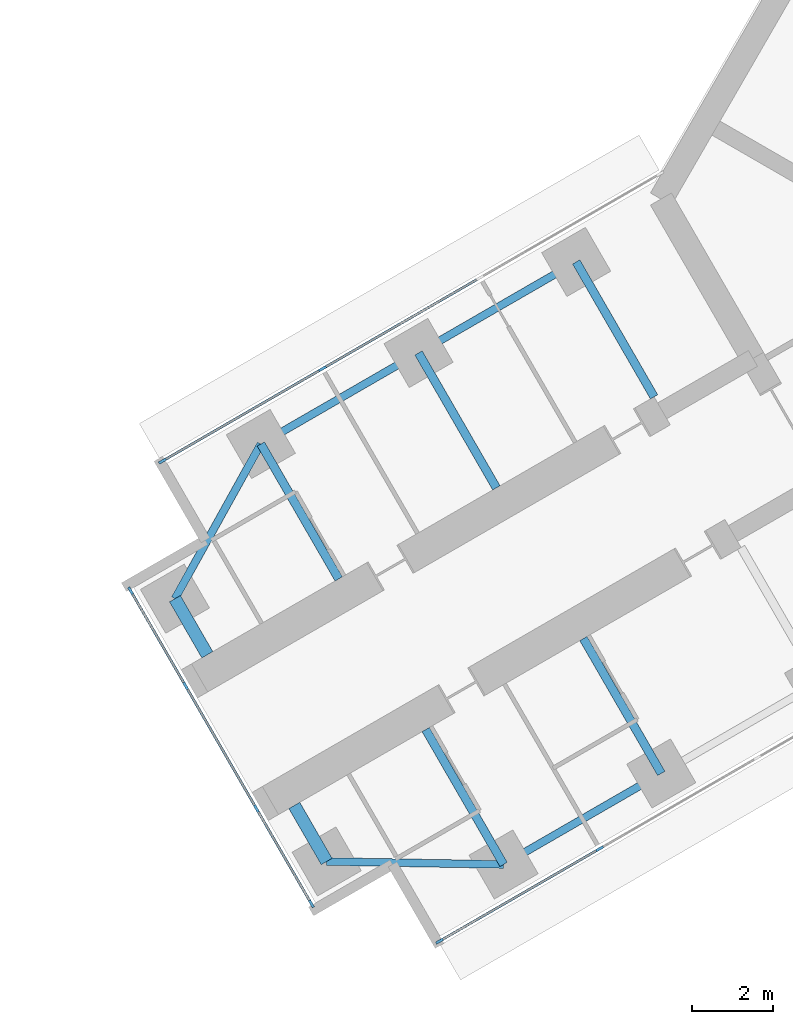
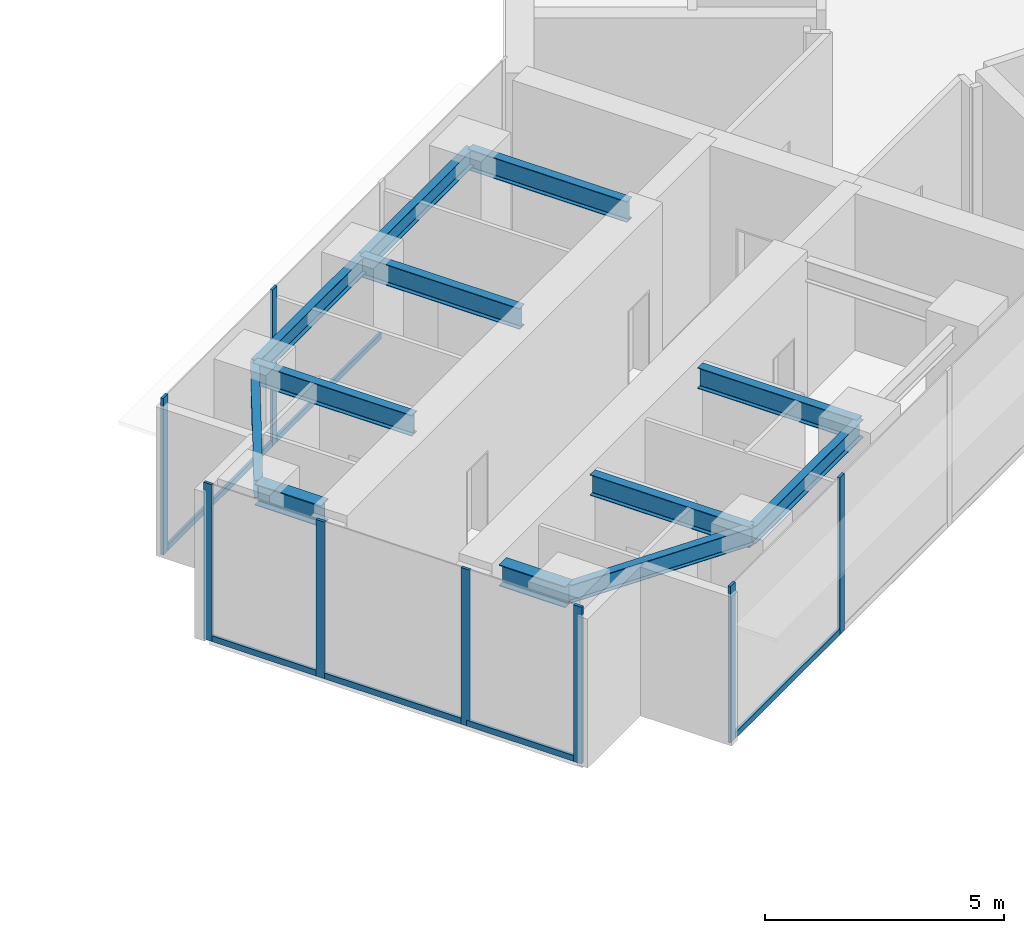
# One storey, part 3 of 23: 14 members, 12 beams, 3 elements without a shape of their own.
"""IFC4 building model written with IfcOpenShell, lengths in metres."""

import ifcopenshell
import ifcopenshell.guid

model = None  # the IFC model being written
_history = None  # IfcOwnerHistory: only IFC2X3 demands one
_inside = {}  # id of a spatial element -> (the spatial element, [elements in it])
_under = {}  # id of a project, library or spatial element -> (it, [spatial elements below it])
_declared = {}  # id of a project -> (the project, [libraries it declares])
_typed = {}  # id of a type object -> (the type object, [elements of that type])
_made_of = {}  # id of a material, layer set ... -> (it, [elements and type objects made of it])


def new_model(schema):
    """Start an empty IFC model of exactly this schema.

    Asked for "IFC4X3", IfcOpenShell would pick the latest addendum, in which some entities
    have other attributes; the version numbers below select the first issue.
    IFC2X3 requires an IfcOwnerHistory on every rooted entity: one is made here for all.
    """
    global model, _history
    if schema == "IFC4X3":
        model = ifcopenshell.file(schema_version=(4, 3, 0, 0))
    else:
        model = ifcopenshell.file(schema=schema)
    _inside.clear()
    _under.clear()
    _declared.clear()
    _typed.clear()
    _made_of.clear()
    _history = None
    if model.schema == "IFC2X3":
        org = make("IfcOrganization", Name="unknown")
        user = make(
            "IfcPersonAndOrganization",
            ThePerson=make("IfcPerson", FamilyName="unknown"),
            TheOrganization=org,
        )
        app = make(
            "IfcApplication",
            ApplicationDeveloper=org,
            Version="unknown",
            ApplicationFullName="unknown",
            ApplicationIdentifier="unknown",
        )
        _history = make(
            "IfcOwnerHistory",
            OwningUser=user,
            OwningApplication=app,
            ChangeAction="ADDED",
            CreationDate=0,
        )
    return model


def make(cls, **values):
    """One entity of the class cls with the attributes given. An attribute that is None is left unset."""
    return model.create_entity(
        cls, **{name: value for name, value in values.items() if value is not None}
    )


def rooted(cls, **values):
    """An entity with a GlobalId (a new one), such as an element, a storey or a relation."""
    return make(cls, GlobalId=ifcopenshell.guid.new(), OwnerHistory=_history, **values)


def si_unit(unit_type, name, prefix=None):
    """IfcSIUnit, for example si_unit("LENGTHUNIT", "METRE", prefix="MILLI")."""
    return make("IfcSIUnit", UnitType=unit_type, Prefix=prefix, Name=name)


def assignment(units):
    """IfcUnitAssignment: the units of a project."""
    return None if units is None else make("IfcUnitAssignment", Units=units)


def point(xyz):
    """IfcCartesianPoint."""
    return None if xyz is None else make("IfcCartesianPoint", Coordinates=xyz)


def direction(xyz):
    """IfcDirection."""
    return None if xyz is None else make("IfcDirection", DirectionRatios=xyz)


def frame(location, z_axis=None, x_axis=None):
    """IfcAxis2Placement3D, a coordinate frame: its origin and axes. An axis left out is left unset."""
    return make(
        "IfcAxis2Placement3D",
        Location=point(location),
        Axis=direction(z_axis),
        RefDirection=direction(x_axis),
    )


def frame_2d(location, x_axis=None):
    """IfcAxis2Placement2D, a coordinate frame in the plane: its origin and x axis."""
    return make(
        "IfcAxis2Placement2D", Location=point(location), RefDirection=direction(x_axis)
    )


def origin():
    """The frame at (0, 0, 0) with its axes left unset."""
    return frame((0.0, 0.0, 0.0))


def origin_2d():
    """The frame at (0, 0) in the plane with its x axis left unset."""
    return frame_2d((0.0, 0.0))


def place(relative_to, where):
    """IfcLocalPlacement: puts the frame where relative to a parent placement (None: the world)."""
    return make(
        "IfcLocalPlacement", PlacementRelTo=relative_to, RelativePlacement=where
    )


def context(
    kind, dimensions, precision=None, world=None, true_north=None, identifier=None
):
    """IfcGeometricRepresentationContext, for example the 3D "Model" context."""
    return make(
        "IfcGeometricRepresentationContext",
        ContextIdentifier=identifier,
        ContextType=kind,
        CoordinateSpaceDimension=dimensions,
        Precision=precision,
        WorldCoordinateSystem=world,
        TrueNorth=true_north,
    )


def subcontext(parent, identifier, kind, view, scale=None):
    """IfcGeometricRepresentationSubContext, for example "Body" below "Model"."""
    return make(
        "IfcGeometricRepresentationSubContext",
        ContextIdentifier=identifier,
        ContextType=kind,
        ParentContext=parent,
        TargetScale=scale,
        TargetView=view,
    )


def project(units=None, contexts=None):
    """IfcProject with its units and contexts."""
    return rooted(
        "IfcProject",
        Name="project",
        RepresentationContexts=contexts,
        UnitsInContext=assignment(units),
    )


def spatial(cls, under=None, at=None, **own):
    """A site, building, storey or space (cls), placed at a placement, below another one or the project."""
    s = rooted(cls, ObjectPlacement=at, **own)
    if under is not None:
        _under.setdefault(under.id(), (under, []))[1].append(s)
    return s


def profile(cls, at=None, kind="AREA", **sizes):
    """A parametric profile (cls). Its sizes go by their IFC names, for example OverallWidth=200.0."""
    return make(cls, ProfileType=kind, Position=at, **sizes)


def rectangle(**sizes):
    """IfcRectangleProfileDef."""
    return profile("IfcRectangleProfileDef", **sizes)


def i_section(**sizes):
    """IfcIShapeProfileDef."""
    return profile("IfcIShapeProfileDef", **sizes)


def extrude(swept, where, along, depth):
    """IfcExtrudedAreaSolid: the profile swept, set in the frame where, extruded along a direction by depth."""
    return make(
        "IfcExtrudedAreaSolid",
        SweptArea=swept,
        Position=where,
        ExtrudedDirection=direction(along),
        Depth=depth,
    )


def shape(context_of_items, identifier, shape_type, items):
    """IfcShapeRepresentation: the items that make up one representation, for example the "Body"."""
    return make(
        "IfcShapeRepresentation",
        ContextOfItems=context_of_items,
        RepresentationIdentifier=identifier,
        RepresentationType=shape_type,
        Items=items,
    )


def material(Name=None, Category=None):
    """IfcMaterial."""
    return make("IfcMaterial", Name=Name, Category=Category)


def material_profile(
    of_material, cross_section, Name=None, Category=None, Priority=None
):
    """IfcMaterialProfile: a cross section and its material."""
    return make(
        "IfcMaterialProfile",
        Name=Name,
        Material=of_material,
        Profile=cross_section,
        Priority=Priority,
        Category=Category,
    )


def profile_set(profiles, Name=None, composite=None):
    """IfcMaterialProfileSet."""
    return make(
        "IfcMaterialProfileSet",
        Name=Name,
        MaterialProfiles=profiles,
        CompositeProfile=composite,
    )


def made_of(thing, what):
    """Note that an element or type object is made of a material, layer set ...; save() writes the relation."""
    if what is not None:
        _made_of.setdefault(what.id(), (what, []))[1].append(thing)
    return thing


def type_object(cls, material=None, **own):
    """A type object (cls), such as IfcWallType, which elements share."""
    return made_of(rooted(cls, **own), material)


def element(
    cls,
    number,
    at=None,
    inside=None,
    cuts=None,
    type_object=None,
    material=None,
    context=None,
    identifier="Body",
    shape_type=None,
    held_by="IfcProductDefinitionShape",
    body=None,
    shapes=None,
    **own,
):
    """One element of the class cls, such as IfcWall. Its Tag is "e" and its number.

    at: its placement. inside: the storey or other place that contains it. cuts: it is an
    opening in that element (IfcRelVoidsElement). A single representation is given by context,
    identifier, shape_type and body (its items); several are given by shapes. held_by: the class
    of the entity that holds the representations. save() writes the other relations.
    """
    e = rooted(cls, Tag="e%d" % number, ObjectPlacement=at, **own)
    if body is not None:
        shapes = [shape(context, identifier, shape_type, body)]
    if shapes is not None:
        e.Representation = make(held_by, Representations=shapes)
    if inside is not None:
        _inside.setdefault(inside.id(), (inside, []))[1].append(e)
    if cuts is not None:
        rooted(
            "IfcRelVoidsElement", RelatingBuildingElement=cuts, RelatedOpeningElement=e
        )
    if type_object is not None:
        _typed.setdefault(type_object.id(), (type_object, []))[1].append(e)
    return made_of(e, material)


def aggregate(whole, parts):
    """IfcRelAggregates: a whole, such as a stair, and the parts it consists of."""
    return rooted("IfcRelAggregates", RelatingObject=whole, RelatedObjects=parts)


def save(model, path):
    """Write the relations noted so far, then the file.

    IfcRelAggregates (storeys below a building ...), IfcRelContainedInSpatialStructure (elements
    in a storey), IfcRelDefinesByType, IfcRelAssociatesMaterial and IfcRelDeclares: one each for
    every whole, place, type object, material and project.
    """
    for whole, parts in _under.values():
        aggregate(whole, parts)
    for where, things in _inside.values():
        rooted(
            "IfcRelContainedInSpatialStructure",
            RelatedElements=things,
            RelatingStructure=where,
        )
    for kind, things in _typed.values():
        rooted("IfcRelDefinesByType", RelatedObjects=things, RelatingType=kind)
    for what, things in _made_of.values():
        rooted("IfcRelAssociatesMaterial", RelatedObjects=things, RelatingMaterial=what)
    for by, libraries in _declared.values():
        rooted("IfcRelDeclares", RelatingContext=by, RelatedDefinitions=libraries)
    model.write(path)


model = new_model("IFC4")

# Units and contexts
model_context = context("Model", 3, precision=1e-05, world=origin(), true_north=direction((0.0, 1.0)))
body_context = subcontext(model_context, "Body", "Model", "MODEL_VIEW")
ifc_project = project(units=[si_unit("LENGTHUNIT", "METRE"), si_unit("AREAUNIT", "SQUARE_METRE"), si_unit("VOLUMEUNIT", "CUBIC_METRE"), si_unit("PLANEANGLEUNIT", "RADIAN"), si_unit("MASSUNIT", "GRAM", prefix="KILO")], contexts=[model_context])

# Site, building, storey
site_placement = place(None, origin())
site = spatial("IfcSite", under=ifc_project, at=site_placement, CompositionType="ELEMENT")
building_placement = place(site_placement, origin())
building = spatial("IfcBuilding", under=site, at=building_placement, Name="Upepo Twin Towers", CompositionType="ELEMENT")
storey_placement = place(building_placement, frame((0.0, 0.0, 145.5)))
storey = spatial("IfcBuildingStorey", under=building, at=storey_placement, Name="L35", CompositionType="ELEMENT", Elevation=145.5)

# Beams
ifc_material_1 = material(Name="Steel S355", Category="steel")
ifc_material_profile_1 = material_profile(ifc_material_1, i_section(OverallWidth=0.1904296875, OverallDepth=0.45703125, WebThickness=0.009033203125, FlangeThickness=0.014404296875, FilletRadius=0.01025390625, at=origin_2d()), Name="UB 457x191x74")
ifc_profile_set_1 = profile_set([ifc_material_profile_1], Name="Steel S355")
beam_type_1 = type_object("IfcBeamType", Name="Beam UB 457x191x74", PredefinedType="BEAM", material=ifc_profile_set_1)
beam_1_placement = place(storey_placement, frame((45.91162109375, -32.196044921875, 3.571533203125), z_axis=(-0.866031096941, -0.499990139034, 0.0), x_axis=(0.499990139034, -0.866031096941, 0.0)))
element("IfcBeam", 1, at=beam_1_placement, inside=storey, type_object=beam_type_1, Name="T2 edge beam BL 18.0-22.5", PredefinedType="BEAM", context=body_context, shape_type="SweptSolid", body=[
    extrude(i_section(OverallWidth=0.1904296875, OverallDepth=0.45703125, WebThickness=0.009033203125, FlangeThickness=0.014404296875, FilletRadius=0.01025390625, at=origin_2d()), origin(), (0.0, 0.0, 1.0), 4.5),
])
beam_2_placement = place(storey_placement, frame((42.014404296875, -34.446044921875, 3.571533203125), z_axis=(-0.999858804832, 0.016803880528, 0.0), x_axis=(-0.016803880528, -0.999858804832, 0.0)))
element("IfcBeam", 2, at=beam_2_placement, inside=storey, type_object=beam_type_1, Name="T2 nose edge beam BL", PredefinedType="BEAM", context=body_context, shape_type="SweptSolid", body=[
    extrude(i_section(OverallWidth=0.1904296875, OverallDepth=0.45703125, WebThickness=0.009033203125, FlangeThickness=0.014404296875, FilletRadius=0.01025390625, at=origin_2d()), origin(), (0.0, 0.0, 1.0), 4.373291015625),
])
beam_3_placement = place(storey_placement, frame((43.80859375, -19.553955078125, 3.571533203125), z_axis=(-0.866017533419, -0.500013631625, 0.0), x_axis=(0.500013631625, -0.866017533419, 0.0)))
element("IfcBeam", 3, at=beam_3_placement, inside=storey, type_object=beam_type_1, Name="T2 edge beam BR 13.5-18.0", PredefinedType="BEAM", context=body_context, shape_type="SweptSolid", body=[
    extrude(i_section(OverallWidth=0.1904296875, OverallDepth=0.45703125, WebThickness=0.009033203125, FlangeThickness=0.014404296875, FilletRadius=0.01025390625, at=origin_2d()), origin(), (0.0, 0.0, 1.0), 4.499755859375),
])
beam_4_placement = place(storey_placement, frame((39.91162109375, -21.803955078125, 3.571533203125), z_axis=(-0.866031096941, -0.499990139034, 0.0), x_axis=(0.499990139034, -0.866031096941, 0.0)))
element("IfcBeam", 4, at=beam_4_placement, inside=storey, type_object=beam_type_1, Name="T2 edge beam BR 18.0-22.5", PredefinedType="BEAM", context=body_context, shape_type="SweptSolid", body=[
    extrude(i_section(OverallWidth=0.1904296875, OverallDepth=0.45703125, WebThickness=0.009033203125, FlangeThickness=0.014404296875, FilletRadius=0.01025390625, at=origin_2d()), origin(), (0.0, 0.0, 1.0), 4.5),
])
beam_5_placement = place(storey_placement, frame((36.014404296875, -24.053955078125, 3.571533203125), z_axis=(-0.485363242752, -0.874312600038, 0.0), x_axis=(0.874312600038, -0.485363242752, 0.0)))
element("IfcBeam", 5, at=beam_5_placement, inside=storey, type_object=beam_type_1, Name="T2 nose edge beam BR", PredefinedType="BEAM", context=body_context, shape_type="SweptSolid", body=[
    extrude(i_section(OverallWidth=0.1904296875, OverallDepth=0.45703125, WebThickness=0.009033203125, FlangeThickness=0.014404296875, FilletRadius=0.01025390625, at=origin_2d()), origin(), (0.0, 0.0, 1.0), 4.373046875),
])
ifc_material_2 = material(Name="Steel S355", Category="steel")
ifc_material_profile_2 = material_profile(ifc_material_2, i_section(OverallWidth=0.209228515625, OverallDepth=0.533203125, WebThickness=0.010009765625, FlangeThickness=0.015625, FilletRadius=0.0126953125, at=origin_2d()), Name="UB 533x210x92")
ifc_profile_set_2 = profile_set([ifc_material_profile_2], Name="Steel S355")
beam_type_2 = type_object("IfcBeamType", Name="Beam UB 533x210x92", PredefinedType="BEAM", material=ifc_profile_set_2)
for number, where, z_axis, x_axis, name in (
    (6, (45.91162109375, -32.196044921875, 3.533447265625), (-0.500033517596, 0.866006051527, 0.0), (-0.866006051527, -0.500033517596, 0.0), "T2 girder BL at 18.0"),
    (7, (42.014404296875, -34.446044921875, 3.533447265625), (-0.500033517596, 0.866006051527, 0.0), (-0.866006051527, -0.500033517596, 0.0), "T2 girder BL at 22.5"),
    (8, (43.80859375, -19.553955078125, 3.533447265625), (0.500033517596, -0.866006051527, 0.0), (0.866006051527, 0.500033517596, 0.0), "T2 girder BR at 13.5"),
):
    element("IfcBeam", number, at=place(storey_placement, frame(where, z_axis=z_axis, x_axis=x_axis)), inside=storey, type_object=beam_type_2, Name=name, PredefinedType="BEAM", context=body_context, shape_type="SweptSolid", body=[
        extrude(i_section(OverallWidth=0.209228515625, OverallDepth=0.533203125, WebThickness=0.010009765625, FlangeThickness=0.015625, FilletRadius=0.0126953125, at=origin_2d()), origin(), (0.0, 0.0, 1.0), 3.849853515625),
    ])
beam_6_placement = place(storey_placement, frame((39.91162109375, -21.803955078125, 3.533447265625), z_axis=(0.499985955615, -0.866033512162, 0.0), x_axis=(0.866033512162, 0.499985955615, 0.0)))
element("IfcBeam", 9, at=beam_6_placement, inside=storey, type_object=beam_type_2, Name="T2 girder BR at 18.0", PredefinedType="BEAM", context=body_context, shape_type="SweptSolid", body=[
    extrude(i_section(OverallWidth=0.209228515625, OverallDepth=0.533203125, WebThickness=0.010009765625, FlangeThickness=0.015625, FilletRadius=0.0126953125, at=origin_2d()), origin(), (0.0, 0.0, 1.0), 3.849609375),
])
beam_7_placement = place(storey_placement, frame((36.014404296875, -24.053955078125, 3.533447265625), z_axis=(0.500033517596, -0.866006051527, 0.0), x_axis=(0.866006051527, 0.500033517596, 0.0)))
element("IfcBeam", 10, at=beam_7_placement, inside=storey, type_object=beam_type_2, Name="T2 girder BR at 22.5", PredefinedType="BEAM", context=body_context, shape_type="SweptSolid", body=[
    extrude(i_section(OverallWidth=0.209228515625, OverallDepth=0.533203125, WebThickness=0.010009765625, FlangeThickness=0.015625, FilletRadius=0.0126953125, at=origin_2d()), origin(), (0.0, 0.0, 1.0), 3.849853515625),
])
ifc_material_3 = material(Name="Steel S355", Category="steel")
ifc_material_profile_3 = material_profile(ifc_material_3, i_section(OverallWidth=0.31201171875, OverallDepth=0.54345703125, WebThickness=0.0126953125, FlangeThickness=0.020263671875, FilletRadius=0.0126953125, at=origin_2d()), Name="UB 533x312x150")
ifc_profile_set_3 = profile_set([ifc_material_profile_3], Name="Steel S355")
beam_type_3 = type_object("IfcBeamType", Name="Beam UB 533x312x150", PredefinedType="BEAM", material=ifc_profile_set_3)
for number, where, z_axis, x_axis, name in (
    (11, (37.641845703125, -34.37255859375, 3.5283203125), (-0.500061482766, 0.865989903783, 0.0), (-0.865989903783, -0.500061482766, 0.0), "T2 nose beam BL"),
    (12, (33.891845703125, -27.87744140625, 3.5283203125), (0.500061482766, -0.865989903783, 0.0), (0.865989903783, 0.500061482766, 0.0), "T2 nose beam BR"),
):
    element("IfcBeam", number, at=place(storey_placement, frame(where, z_axis=z_axis, x_axis=x_axis)), inside=storey, type_object=beam_type_3, Name=name, PredefinedType="BEAM", context=body_context, shape_type="SweptSolid", body=[
        extrude(i_section(OverallWidth=0.31201171875, OverallDepth=0.54345703125, WebThickness=0.0126953125, FlangeThickness=0.020263671875, FilletRadius=0.0126953125, at=origin_2d()), origin(), (0.0, 0.0, 1.0), 1.599853515625),
    ])

# Curtain wall, members
ifc_material_4 = material(Name="Aluminium and fritted glass", Category="aluminium")
curtain_wall_type = type_object("IfcCurtainWallType", Name="Tower curtain wall TW2, fritted glass", PredefinedType="NOTDEFINED", material=ifc_material_4)
curtain_wall_1_placement = place(storey_placement, origin())
curtain_wall_1 = element("IfcCurtainWall", 13, at=curtain_wall_1_placement, inside=storey, type_object=curtain_wall_type, Name="T2 L35 wing B flank L curtain wall", PredefinedType="NOTDEFINED")
ifc_material_5 = material(Name="Aluminium mullion", Category="aluminium")
ifc_material_profile_4 = material_profile(ifc_material_5, rectangle(XDim=0.06494140625, YDim=0.199951171875, at=origin_2d()), Name="MULLION 65x200")
ifc_profile_set_4 = profile_set([ifc_material_profile_4], Name="Aluminium mullion")
member_type_1 = type_object("IfcMemberType", Name="Mullion 65x200 TW2", PredefinedType="MULLION", material=ifc_profile_set_4)
member_1_placement = place(storey_placement, frame((44.387939453125, -34.057373046875, 0.0), z_axis=(0.0, 0.0, 1.0), x_axis=(0.500000010308, -0.866025397833, 0.0)))
member_1 = element("IfcMember", 14, at=member_1_placement, type_object=member_type_1, Name="T2 L35 wing B flank L curtain wall mullion 3", PredefinedType="MULLION", context=body_context, shape_type="SweptSolid", body=[
    extrude(rectangle(XDim=0.06494140625, YDim=0.199951171875, at=origin_2d()), origin(), (0.0, 0.0, 1.0), 4.0),
])
member_2_placement = place(storey_placement, frame((40.432373046875, -36.341064453125, 0.0), z_axis=(0.0, 0.0, 1.0), x_axis=(0.500000010308, -0.866025397833, 0.0)))
member_2 = element("IfcMember", 15, at=member_2_placement, type_object=member_type_1, Name="T2 L35 wing B flank L curtain wall mullion 4", PredefinedType="MULLION", context=body_context, shape_type="SweptSolid", body=[
    extrude(rectangle(XDim=0.06494140625, YDim=0.199951171875, at=origin_2d()), origin(), (0.0, 0.0, 1.0), 4.0),
])

curtain_wall_2_placement = place(storey_placement, origin())
curtain_wall_2 = element("IfcCurtainWall", 16, at=curtain_wall_2_placement, inside=storey, type_object=curtain_wall_type, Name="T2 L35 wing B flank R curtain wall", PredefinedType="NOTDEFINED")
member_3_placement = place(storey_placement, frame((33.58251953125, -24.4765625, 0.0), z_axis=(0.0, 0.0, 1.0), x_axis=(-0.500000010308, 0.866025397833, 0.0)))
member_3 = element("IfcMember", 17, at=member_3_placement, type_object=member_type_1, Name="T2 L35 wing B flank R curtain wall mullion 1", PredefinedType="MULLION", context=body_context, shape_type="SweptSolid", body=[
    extrude(rectangle(XDim=0.06494140625, YDim=0.199951171875, at=origin_2d()), origin(), (0.0, 0.0, 1.0), 4.0),
])
member_4_placement = place(storey_placement, frame((37.5380859375, -22.192626953125, 0.0), z_axis=(0.0, 0.0, 1.0), x_axis=(-0.500000010308, 0.866025397833, 0.0)))
member_4 = element("IfcMember", 18, at=member_4_placement, type_object=member_type_1, Name="T2 L35 wing B flank R curtain wall mullion 2", PredefinedType="MULLION", context=body_context, shape_type="SweptSolid", body=[
    extrude(rectangle(XDim=0.06494140625, YDim=0.199951171875, at=origin_2d()), origin(), (0.0, 0.0, 1.0), 4.0),
])

curtain_wall_3_placement = place(storey_placement, origin())
curtain_wall_3 = element("IfcCurtainWall", 19, at=curtain_wall_3_placement, inside=storey, type_object=curtain_wall_type, Name="T2 L35 wing B nose curtain wall", PredefinedType="NOTDEFINED")
member_5_placement = place(storey_placement, frame((32.796875, -27.68115234375, 0.0), z_axis=(0.0, 0.0, 1.0), x_axis=(0.866025386174, 0.500000030502, 0.0)))
member_5 = element("IfcMember", 20, at=member_5_placement, type_object=member_type_1, Name="T2 L35 wing B nose curtain wall mullion 1", PredefinedType="MULLION", context=body_context, shape_type="SweptSolid", body=[
    extrude(rectangle(XDim=0.06494140625, YDim=0.199951171875, at=origin_2d()), origin(), (0.0, 0.0, 1.0), 4.0),
])
member_6_placement = place(storey_placement, frame((34.15576171875, -30.034423828125, 0.0), z_axis=(0.0, 0.0, 1.0), x_axis=(0.866025386174, 0.500000030502, 0.0)))
member_6 = element("IfcMember", 21, at=member_6_placement, type_object=member_type_1, Name="T2 L35 wing B nose curtain wall mullion 2", PredefinedType="MULLION", context=body_context, shape_type="SweptSolid", body=[
    extrude(rectangle(XDim=0.06494140625, YDim=0.199951171875, at=origin_2d()), origin(), (0.0, 0.0, 1.0), 4.0),
])
member_7_placement = place(storey_placement, frame((35.90576171875, -33.0654296875, 0.0), z_axis=(0.0, 0.0, 1.0), x_axis=(0.866025386174, 0.500000030502, 0.0)))
member_7 = element("IfcMember", 22, at=member_7_placement, type_object=member_type_1, Name="T2 L35 wing B nose curtain wall mullion 3", PredefinedType="MULLION", context=body_context, shape_type="SweptSolid", body=[
    extrude(rectangle(XDim=0.06494140625, YDim=0.199951171875, at=origin_2d()), origin(), (0.0, 0.0, 1.0), 4.0),
])
member_8_placement = place(storey_placement, frame((37.264404296875, -35.4189453125, 0.0), z_axis=(0.0, 0.0, 1.0), x_axis=(0.866025386174, 0.500000030502, 0.0)))
member_8 = element("IfcMember", 23, at=member_8_placement, type_object=member_type_1, Name="T2 L35 wing B nose curtain wall mullion 4", PredefinedType="MULLION", context=body_context, shape_type="SweptSolid", body=[
    extrude(rectangle(XDim=0.06494140625, YDim=0.199951171875, at=origin_2d()), origin(), (0.0, 0.0, 1.0), 4.0),
])

# Member
ifc_material_6 = material(Name="Aluminium transom", Category="aluminium")
ifc_material_profile_5 = material_profile(ifc_material_6, rectangle(XDim=0.06494140625, YDim=0.14990234375, at=origin_2d()), Name="TRANSOM 65x150")
ifc_profile_set_5 = profile_set([ifc_material_profile_5], Name="Aluminium transom")
member_type_2 = type_object("IfcMemberType", Name="Transom 65x150 TW2", PredefinedType="USERDEFINED", material=ifc_profile_set_5)
member_9_placement = place(storey_placement, frame((44.35986328125, -34.073486328125, 0.074951171875), z_axis=(-0.866035699072, -0.499982167615, 0.0), x_axis=(0.499982167615, -0.866035699072, 0.0)))
member_9 = element("IfcMember", 24, at=member_9_placement, type_object=member_type_2, Name="T2 L35 wing B flank L curtain wall transom 3", ObjectType="TRANSOM", PredefinedType="USERDEFINED", context=body_context, shape_type="SweptSolid", body=[
    extrude(rectangle(XDim=0.06494140625, YDim=0.14990234375, at=origin_2d()), origin(), (0.0, 0.0, 1.0), 4.502685546875),
])

aggregate(curtain_wall_1, [member_1, member_2, member_9])

member_10_placement = place(storey_placement, frame((33.610595703125, -24.460205078125, 0.074951171875), z_axis=(0.866022143554, 0.500005646842, 0.0), x_axis=(-0.500005646842, 0.866022143554, 0.0)))
member_10 = element("IfcMember", 25, at=member_10_placement, type_object=member_type_2, Name="T2 L35 wing B flank R curtain wall transom 1", ObjectType="TRANSOM", PredefinedType="USERDEFINED", context=body_context, shape_type="SweptSolid", body=[
    extrude(rectangle(XDim=0.06494140625, YDim=0.14990234375, at=origin_2d()), origin(), (0.0, 0.0, 1.0), 4.50244140625),
])

member_11_placement = place(storey_placement, frame((37.566162109375, -22.176513671875, 0.074951171875), z_axis=(0.866022410713, 0.500005184116, 0.0), x_axis=(-0.500005184116, 0.866022410713, 0.0)))
member_11 = element("IfcMember", 26, at=member_11_placement, type_object=member_type_2, Name="T2 L35 wing B flank R curtain wall transom 2", ObjectType="TRANSOM", PredefinedType="USERDEFINED", context=body_context, shape_type="SweptSolid", body=[
    extrude(rectangle(XDim=0.06494140625, YDim=0.14990234375, at=origin_2d()), origin(), (0.0, 0.0, 1.0), 4.43505859375),
])

aggregate(curtain_wall_2, [member_3, member_4, member_10, member_11])

member_12_placement = place(storey_placement, frame((32.813232421875, -27.709228515625, 0.074951171875), z_axis=(0.499980071345, -0.866036909293, 0.0), x_axis=(0.866036909293, 0.499980071345, 0.0)))
member_12 = element("IfcMember", 27, at=member_12_placement, type_object=member_type_2, Name="T2 L35 wing B nose curtain wall transom 1", ObjectType="TRANSOM", PredefinedType="USERDEFINED", context=body_context, shape_type="SweptSolid", body=[
    extrude(rectangle(XDim=0.06494140625, YDim=0.14990234375, at=origin_2d()), origin(), (0.0, 0.0, 1.0), 2.65234375),
])

member_13_placement = place(storey_placement, frame((34.171875, -30.0625, 0.074951171875), z_axis=(0.499999305434, -0.866025804792, 0.0), x_axis=(0.866025804792, 0.499999305434, 0.0)))
member_13 = element("IfcMember", 28, at=member_13_placement, type_object=member_type_2, Name="T2 L35 wing B nose curtain wall transom 2", ObjectType="TRANSOM", PredefinedType="USERDEFINED", context=body_context, shape_type="SweptSolid", body=[
    extrude(rectangle(XDim=0.06494140625, YDim=0.14990234375, at=origin_2d()), origin(), (0.0, 0.0, 1.0), 3.43505859375),
])

member_14_placement = place(storey_placement, frame((35.921875, -33.09375, 0.074951171875), z_axis=(0.500049101008, -0.865997053448, 0.0), x_axis=(0.865997053448, 0.500049101008, 0.0)))
member_14 = element("IfcMember", 29, at=member_14_placement, type_object=member_type_2, Name="T2 L35 wing B nose curtain wall transom 3", ObjectType="TRANSOM", PredefinedType="USERDEFINED", context=body_context, shape_type="SweptSolid", body=[
    extrude(rectangle(XDim=0.06494140625, YDim=0.14990234375, at=origin_2d()), origin(), (0.0, 0.0, 1.0), 2.652587890625),
])

aggregate(curtain_wall_3, [member_5, member_6, member_7, member_8, member_12, member_13, member_14])

save(model, "model.ifc")
